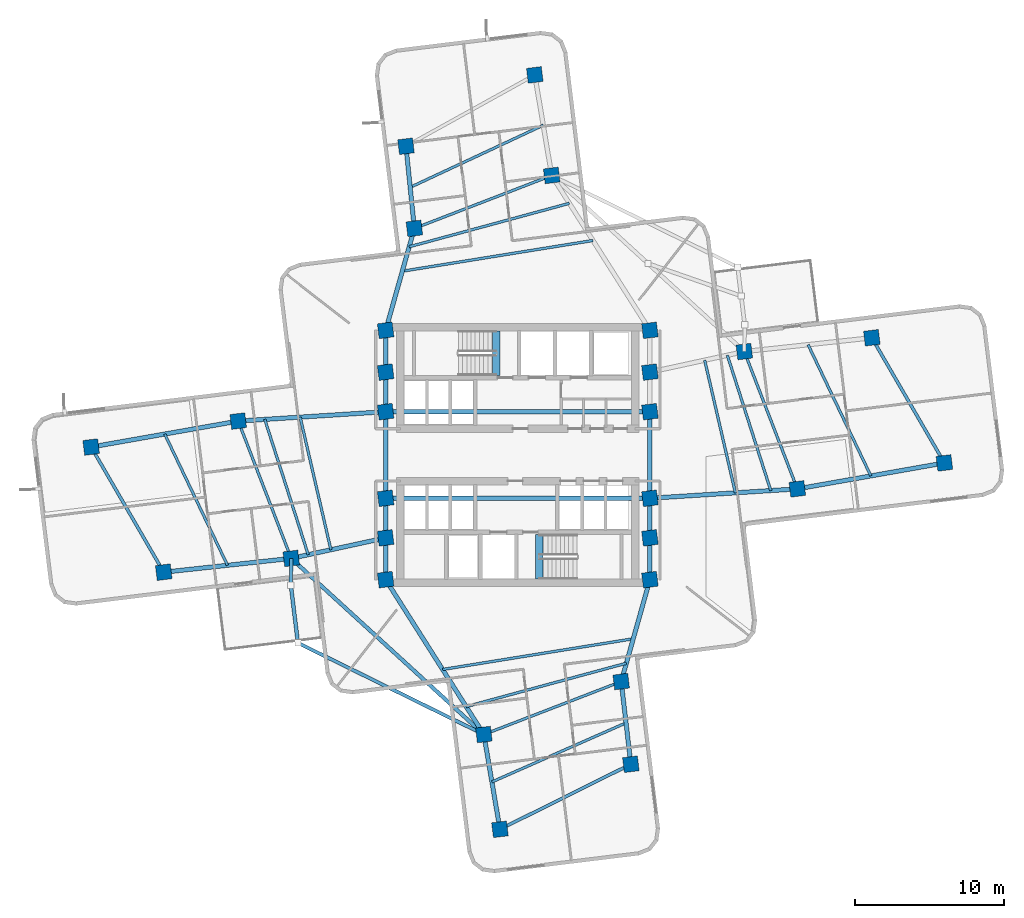
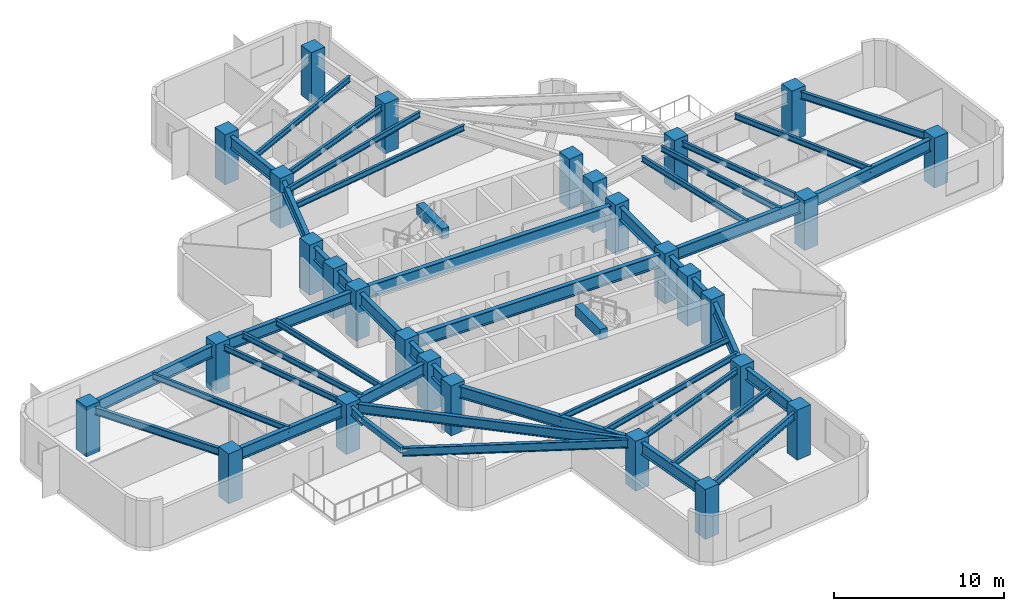
# One storey, part 1 of 9: 47 beams, 28 columns.
"""IFC4 building model written with IfcOpenShell, lengths in metres."""

from ifc_helpers import new_model, si_unit, direction, frame, origin, origin_2d, place, context, subcontext, project, spatial, rectangle, hollow_rectangle, i_section, extrude, material, material_profile, profile_set, type_object, element, save


model = new_model("IFC4")

# Units and contexts
model_context = context("Model", 3, precision=1e-05, world=origin(), true_north=direction((0.0, 1.0)))
body_context = subcontext(model_context, "Body", "Model", "MODEL_VIEW")
ifc_project = project(units=[si_unit("LENGTHUNIT", "METRE"), si_unit("AREAUNIT", "SQUARE_METRE"), si_unit("VOLUMEUNIT", "CUBIC_METRE"), si_unit("PLANEANGLEUNIT", "RADIAN"), si_unit("MASSUNIT", "GRAM", prefix="KILO")], contexts=[model_context])

# Site, building, storey
site_placement = place(None, origin())
site = spatial("IfcSite", under=ifc_project, at=site_placement, CompositionType="ELEMENT")
building_placement = place(site_placement, origin())
building = spatial("IfcBuilding", under=site, at=building_placement, Name="Solmarez Civic Tower", CompositionType="ELEMENT")
storey_placement = place(building_placement, frame((0.0, 0.0, 78.47998046875)))
storey = spatial("IfcBuildingStorey", under=building, at=storey_placement, Name="L20", CompositionType="ELEMENT", Elevation=78.47998046875)

# Columns
ifc_material_1 = material(Name="Concrete C60/75", Category="concrete")
ifc_material_profile_1 = material_profile(ifc_material_1, rectangle(XDim=1.0, YDim=1.0, at=origin_2d()), Name="RC1000X1000")
ifc_profile_set_1 = profile_set([ifc_material_profile_1], Name="Concrete C60/75")
column_type = type_object("IfcColumnType", Name="COL-RC1000", PredefinedType="COLUMN", material=ifc_profile_set_1)
for number, where, z_axis, x_axis, name in (
    (1, (-8.85009765625, -5.550048828125, 0.0), (0.0, 0.0, 1.0), (0.992546151641, 0.121869343405, 0.0), "L20 Structural Column HC1"),
    (2, (-8.85009765625, -2.89990234375, 0.0), (0.0, 0.0, 1.0), (0.992546151641, 0.121869343405, 0.0), "L20 Structural Column HC2"),
    (3, (-8.85009765625, 2.89990234375, 0.0), (0.0, 0.0, 1.0), (0.992546151641, 0.121869343405, 0.0), "L20 Structural Column HC3"),
    (4, (-8.85009765625, 5.550048828125, 0.0), (0.0, 0.0, 1.0), (0.992546151641, 0.121869343405, 0.0), "L20 Structural Column HC4"),
    (5, (8.85009765625, -5.550048828125, 0.0), (0.0, 0.0, 1.0), (0.992546151641, 0.121869343405, 0.0), "L20 Structural Column HC5"),
    (6, (8.85009765625, -2.89990234375, 0.0), (0.0, 0.0, 1.0), (0.992546151641, 0.121869343405, 0.0), "L20 Structural Column HC6"),
    (7, (8.85009765625, 2.89990234375, 0.0), (0.0, 0.0, 1.0), (0.992546151641, 0.121869343405, 0.0), "L20 Structural Column HC7"),
    (8, (8.85009765625, 5.550048828125, 0.0), (0.0, 0.0, 1.0), (0.992546151641, 0.121869343405, 0.0), "L20 Structural Column HC8"),
    (9, (-8.85009765625, 8.35009765625, 0.0), (0.0, 0.0, 1.0), (0.992546151641, 0.121869343405, 0.0), "L20 Structural Column HC9"),
    (10, (8.85009765625, -8.35009765625, 0.0), (0.0, 0.0, 1.0), (0.992546151641, 0.121869343405, 0.0), "L20 Structural Column HC10"),
    (11, (8.85009765625, 8.35009765625, 0.0), (0.0, 0.0, 1.0), (0.992546151641, 0.121869343405, 0.0), "L20 Structural Column HC11"),
    (12, (-8.85009765625, -8.35009765625, 0.0), (0.0, 0.0, 1.0), (0.992546151641, 0.121869343405, 0.0), "L20 Structural Column HC12"),
    (13, (18.72412109375, -2.27099609375, 0.0), (0.0, 0.0, 1.0), (0.992546151641, 0.121869343405, 0.0), "L20 Structural Column EA11"),
    (14, (15.175048828125, 6.927001953125, 0.0), (0.0, 0.0, 1.0), (0.992546151641, 0.121869343405, 0.0), "L20 Structural Column EA12"),
    (15, (28.575927734375, -0.532958984375, 0.0), (0.0, 0.0, 1.0), (0.992546151641, 0.121869343405, 0.0), "L20 Structural Column EA21"),
    (16, (23.715087890625, 7.85107421875, 0.0), (0.0, 0.0, 1.0), (0.992546151641, 0.121869343405, 0.0), "L20 Structural Column EA22"),
    (17, (2.27099609375, 18.72412109375, 0.0), (0.0, 0.0, 1.0), (0.992546151641, 0.121869343405, 0.0), "L20 Structural Column NA11"),
    (18, (-6.927001953125, 15.175048828125, 0.0), (0.0, 0.0, 1.0), (0.992546151641, 0.121869343405, 0.0), "L20 Structural Column NA12"),
    (19, (1.138916015625, 25.45703125, 0.0), (0.0, 0.0, 1.0), (0.992546151641, 0.121869343405, 0.0), "L20 Structural Column NA21"),
    (20, (-7.489013671875, 20.678955078125, 0.0), (0.0, 0.0, 1.0), (0.992546151641, 0.121869343405, 0.0), "L20 Structural Column NA22"),
    (21, (-18.72412109375, 2.27099609375, 0.0), (0.0, 0.0, 1.0), (0.992546151641, 0.121869343405, 0.0), "L20 Structural Column WA11"),
    (22, (-15.175048828125, -6.927001953125, 0.0), (0.0, 0.0, 1.0), (0.992546151641, 0.121869343405, 0.0), "L20 Structural Column WA12"),
    (23, (-28.575927734375, 0.532958984375, 0.0), (0.0, 0.0, 1.0), (0.992546151641, 0.121869343405, 0.0), "L20 Structural Column WA21"),
    (24, (-23.715087890625, -7.85107421875, 0.0), (0.0, 0.0, 1.0), (0.992546151641, 0.121869343405, 0.0), "L20 Structural Column WA22"),
    (25, (-2.27099609375, -18.72412109375, 0.0), (0.0, 0.0, 1.0), (0.992546151641, 0.121869343405, 0.0), "L20 Structural Column SA11"),
    (26, (6.927001953125, -15.175048828125, 0.0), (0.0, 0.0, 1.0), (0.992546151641, 0.121869343405, 0.0), "L20 Structural Column SA12"),
    (27, (-1.195068359375, -25.073974609375, 0.0), (0.0, 0.0, 1.0), (0.992546151641, 0.121869343405, 0.0), "L20 Structural Column SA21"),
    (28, (7.573974609375, -20.714111328125, 0.0), (0.0, 0.0, 1.0), (0.992546151641, 0.121869343405, 0.0), "L20 Structural Column SA22"),
):
    element("IfcColumn", number, at=place(storey_placement, frame(where, z_axis=z_axis, x_axis=x_axis)), inside=storey, type_object=column_type, Name=name, PredefinedType="COLUMN", context=body_context, shape_type="SweptSolid", body=[
        extrude(rectangle(XDim=1.0, YDim=1.0, at=origin_2d()), origin(), (0.0, 0.0, 1.0), 3.60009765625),
    ])

# Beams
ifc_material_2 = material(Name="Steel S355", Category="steel")
ifc_material_profile_2 = material_profile(ifc_material_2, i_section(OverallWidth=0.178955078125, OverallDepth=0.409912109375, WebThickness=0.0087890625, FlangeThickness=0.014404296875, at=origin_2d()), Name="W16X45")
ifc_profile_set_2 = profile_set([ifc_material_profile_2], Name="Steel S355")
beam_type_1 = type_object("IfcBeamType", Name="BM-JS-W16X45", PredefinedType="JOIST", material=ifc_profile_set_2)
beam_1_placement = place(storey_placement, frame((18.72412109375, -2.27099609375, 3.135009765625), z_axis=(-0.359984466214, 0.932958297077, 0.0), x_axis=(-0.932958297077, -0.359984466214, 0.0)))
element("IfcBeam", 29, at=beam_1_placement, inside=storey, type_object=beam_type_1, Name="L20 Secondary Floor Joist BM-L20-EA-T1", PredefinedType="JOIST", context=body_context, shape_type="SweptSolid", body=[
    extrude(i_section(OverallWidth=0.178955078125, OverallDepth=0.409912109375, WebThickness=0.0087890625, FlangeThickness=0.014404296875, at=origin_2d()), origin(), (0.0, 0.0, 1.0), 9.85888671875),
])
beam_2_placement = place(storey_placement, frame((23.64990234375, -1.402099609375, 3.135009765625), z_axis=(-0.431491843414, 0.902116837814, 0.0), x_axis=(-0.902116837814, -0.431491843414, 0.0)))
element("IfcBeam", 30, at=beam_2_placement, inside=storey, type_object=beam_type_1, Name="L20 Secondary Floor Joist JS-L20-EA-M2", PredefinedType="JOIST", context=body_context, shape_type="SweptSolid", body=[
    extrude(i_section(OverallWidth=0.178955078125, OverallDepth=0.409912109375, WebThickness=0.0087890625, FlangeThickness=0.014404296875, at=origin_2d()), origin(), (0.0, 0.0, 1.0), 9.744873046875),
])
beam_3_placement = place(storey_placement, frame((14.576904296875, -2.534912109375, 3.135009765625), z_axis=(-0.225762717226, 0.974182321494, 0.0), x_axis=(-0.974182321494, -0.225762717226, 0.0)))
element("IfcBeam", 31, at=beam_3_placement, inside=storey, type_object=beam_type_1, Name="L20 Secondary Floor Joist JS-L20-EA-M11", PredefinedType="JOIST", context=body_context, shape_type="SweptSolid", body=[
    extrude(i_section(OverallWidth=0.178955078125, OverallDepth=0.409912109375, WebThickness=0.0087890625, FlangeThickness=0.014404296875, at=origin_2d()), origin(), (0.0, 0.0, 1.0), 9.119384765625),
])
beam_4_placement = place(storey_placement, frame((16.947021484375, -2.384033203125, 3.135009765625), z_axis=(-0.305705295997, 0.952126184914, 0.0), x_axis=(-0.952126184914, -0.305705295997, 0.0)))
element("IfcBeam", 32, at=beam_4_placement, inside=storey, type_object=beam_type_1, Name="L20 Secondary Floor Joist JS-L20-EA-M12", PredefinedType="JOIST", context=body_context, shape_type="SweptSolid", body=[
    extrude(i_section(OverallWidth=0.178955078125, OverallDepth=0.409912109375, WebThickness=0.0087890625, FlangeThickness=0.014404296875, at=origin_2d()), origin(), (0.0, 0.0, 1.0), 9.518798828125),
])
beam_5_placement = place(storey_placement, frame((2.27099609375, 18.72412109375, 3.135009765625), z_axis=(-0.932958297077, -0.359984466214, 0.0), x_axis=(0.359984466214, -0.932958297077, 0.0)))
element("IfcBeam", 33, at=beam_5_placement, inside=storey, type_object=beam_type_1, Name="L20 Secondary Floor Joist BM-L20-NA-T1", PredefinedType="JOIST", context=body_context, shape_type="SweptSolid", body=[
    extrude(i_section(OverallWidth=0.178955078125, OverallDepth=0.409912109375, WebThickness=0.0087890625, FlangeThickness=0.014404296875, at=origin_2d()), origin(), (0.0, 0.0, 1.0), 9.85888671875),
])
beam_6_placement = place(storey_placement, frame((1.705078125, 22.090087890625, 3.135009765625), z_axis=(-0.906041066986, -0.423189774138, 0.0), x_axis=(0.423189774138, -0.906041066986, 0.0)))
element("IfcBeam", 34, at=beam_6_placement, inside=storey, type_object=beam_type_1, Name="L20 Secondary Floor Joist JS-L20-NA-M2", PredefinedType="JOIST", context=body_context, shape_type="SweptSolid", body=[
    extrude(i_section(OverallWidth=0.178955078125, OverallDepth=0.409912109375, WebThickness=0.0087890625, FlangeThickness=0.014404296875, at=origin_2d()), origin(), (0.0, 0.0, 1.0), 9.83740234375),
])
beam_7_placement = place(storey_placement, frame((5.033935546875, 14.366943359375, 3.135009765625), z_axis=(-0.987261309887, -0.159107215423, 0.0), x_axis=(0.159107215423, -0.987261309887, 0.0)))
element("IfcBeam", 35, at=beam_7_placement, inside=storey, type_object=beam_type_1, Name="L20 Secondary Floor Joist JS-L20-NA-M11", PredefinedType="JOIST", context=body_context, shape_type="SweptSolid", body=[
    extrude(i_section(OverallWidth=0.178955078125, OverallDepth=0.409912109375, WebThickness=0.0087890625, FlangeThickness=0.014404296875, at=origin_2d()), origin(), (0.0, 0.0, 1.0), 12.933837890625),
])
beam_8_placement = place(storey_placement, frame((3.455078125, 16.85693359375, 3.135009765625), z_axis=(-0.965126314795, -0.261784637614, 0.0), x_axis=(0.261784637614, -0.965126314795, 0.0)))
element("IfcBeam", 36, at=beam_8_placement, inside=storey, type_object=beam_type_1, Name="L20 Secondary Floor Joist JS-L20-NA-M12", PredefinedType="JOIST", context=body_context, shape_type="SweptSolid", body=[
    extrude(i_section(OverallWidth=0.178955078125, OverallDepth=0.409912109375, WebThickness=0.0087890625, FlangeThickness=0.014404296875, at=origin_2d()), origin(), (0.0, 0.0, 1.0), 11.11572265625),
])
beam_9_placement = place(storey_placement, frame((-18.72412109375, 2.27099609375, 3.135009765625), z_axis=(0.359984466214, -0.932958297077, 0.0), x_axis=(0.932958297077, 0.359984466214, 0.0)))
element("IfcBeam", 37, at=beam_9_placement, inside=storey, type_object=beam_type_1, Name="L20 Secondary Floor Joist BM-L20-WA-T1", PredefinedType="JOIST", context=body_context, shape_type="SweptSolid", body=[
    extrude(i_section(OverallWidth=0.178955078125, OverallDepth=0.409912109375, WebThickness=0.0087890625, FlangeThickness=0.014404296875, at=origin_2d()), origin(), (0.0, 0.0, 1.0), 9.85888671875),
])
beam_10_placement = place(storey_placement, frame((-23.64990234375, 1.402099609375, 3.135009765625), z_axis=(0.431491843414, -0.902116837814, 0.0), x_axis=(0.902116837814, 0.431491843414, 0.0)))
element("IfcBeam", 38, at=beam_10_placement, inside=storey, type_object=beam_type_1, Name="L20 Secondary Floor Joist JS-L20-WA-M2", PredefinedType="JOIST", context=body_context, shape_type="SweptSolid", body=[
    extrude(i_section(OverallWidth=0.178955078125, OverallDepth=0.409912109375, WebThickness=0.0087890625, FlangeThickness=0.014404296875, at=origin_2d()), origin(), (0.0, 0.0, 1.0), 9.744873046875),
])
beam_11_placement = place(storey_placement, frame((-14.576904296875, 2.534912109375, 3.135009765625), z_axis=(0.225762717226, -0.974182321494, 0.0), x_axis=(0.974182321494, 0.225762717226, 0.0)))
element("IfcBeam", 39, at=beam_11_placement, inside=storey, type_object=beam_type_1, Name="L20 Secondary Floor Joist JS-L20-WA-M11", PredefinedType="JOIST", context=body_context, shape_type="SweptSolid", body=[
    extrude(i_section(OverallWidth=0.178955078125, OverallDepth=0.409912109375, WebThickness=0.0087890625, FlangeThickness=0.014404296875, at=origin_2d()), origin(), (0.0, 0.0, 1.0), 9.119384765625),
])
beam_12_placement = place(storey_placement, frame((-16.947021484375, 2.384033203125, 3.135009765625), z_axis=(0.305705295997, -0.952126184914, 0.0), x_axis=(0.952126184914, 0.305705295997, 0.0)))
element("IfcBeam", 40, at=beam_12_placement, inside=storey, type_object=beam_type_1, Name="L20 Secondary Floor Joist JS-L20-WA-M12", PredefinedType="JOIST", context=body_context, shape_type="SweptSolid", body=[
    extrude(i_section(OverallWidth=0.178955078125, OverallDepth=0.409912109375, WebThickness=0.0087890625, FlangeThickness=0.014404296875, at=origin_2d()), origin(), (0.0, 0.0, 1.0), 9.518798828125),
])
beam_13_placement = place(storey_placement, frame((-2.27099609375, -18.72412109375, 3.135009765625), z_axis=(0.932958297077, 0.359984466214, 0.0), x_axis=(-0.359984466214, 0.932958297077, 0.0)))
element("IfcBeam", 41, at=beam_13_placement, inside=storey, type_object=beam_type_1, Name="L20 Secondary Floor Joist BM-L20-SA-T1", PredefinedType="JOIST", context=body_context, shape_type="SweptSolid", body=[
    extrude(i_section(OverallWidth=0.178955078125, OverallDepth=0.409912109375, WebThickness=0.0087890625, FlangeThickness=0.014404296875, at=origin_2d()), origin(), (0.0, 0.0, 1.0), 9.85888671875),
])
beam_14_placement = place(storey_placement, frame((-1.73291015625, -21.89892578125, 3.135009765625), z_axis=(0.915226616427, 0.402939499905, 0.0), x_axis=(-0.402939499905, 0.915226616427, 0.0)))
element("IfcBeam", 42, at=beam_14_placement, inside=storey, type_object=beam_type_1, Name="L20 Secondary Floor Joist JS-L20-SA-M2", PredefinedType="JOIST", context=body_context, shape_type="SweptSolid", body=[
    extrude(i_section(OverallWidth=0.178955078125, OverallDepth=0.409912109375, WebThickness=0.0087890625, FlangeThickness=0.014404296875, at=origin_2d()), origin(), (0.0, 0.0, 1.0), 9.81494140625),
])
beam_15_placement = place(storey_placement, frame((-5.033935546875, -14.366943359375, 3.135009765625), z_axis=(0.987261309887, 0.159107215423, 0.0), x_axis=(-0.159107215423, 0.987261309887, 0.0)))
element("IfcBeam", 43, at=beam_15_placement, inside=storey, type_object=beam_type_1, Name="L20 Secondary Floor Joist JS-L20-SA-M11", PredefinedType="JOIST", context=body_context, shape_type="SweptSolid", body=[
    extrude(i_section(OverallWidth=0.178955078125, OverallDepth=0.409912109375, WebThickness=0.0087890625, FlangeThickness=0.014404296875, at=origin_2d()), origin(), (0.0, 0.0, 1.0), 12.933837890625),
])
beam_16_placement = place(storey_placement, frame((-3.455078125, -16.85693359375, 3.135009765625), z_axis=(0.965126314795, 0.261784637614, 0.0), x_axis=(-0.261784637614, 0.965126314795, 0.0)))
element("IfcBeam", 44, at=beam_16_placement, inside=storey, type_object=beam_type_1, Name="L20 Secondary Floor Joist JS-L20-SA-M12", PredefinedType="JOIST", context=body_context, shape_type="SweptSolid", body=[
    extrude(i_section(OverallWidth=0.178955078125, OverallDepth=0.409912109375, WebThickness=0.0087890625, FlangeThickness=0.014404296875, at=origin_2d()), origin(), (0.0, 0.0, 1.0), 11.11572265625),
])
ifc_material_3 = material(Name="Concrete C50/60", Category="concrete")
ifc_material_profile_3 = material_profile(ifc_material_3, rectangle(XDim=0.5, YDim=0.75, at=origin_2d()), Name="RC500X750")
ifc_profile_set_3 = profile_set([ifc_material_profile_3], Name="Concrete C50/60")
beam_type_2 = type_object("IfcBeamType", Name="BM-PR-RC500X750", PredefinedType="BEAM", material=ifc_profile_set_3)
for number, where, z_axis, x_axis, name in (
    (45, (-1.449951171875, 5.340087890625, 3.23291015625), (0.0, 1.0, 0.0), (-1.0, 0.0, 0.0), "L20 North Stair Threshold Beam"),
    (46, (1.449951171875, -8.300048828125, 3.23291015625), (0.0, 1.0, 0.0), (-1.0, 0.0, 0.0), "L20 South Stair Threshold Beam"),
):
    element("IfcBeam", number, at=place(storey_placement, frame(where, z_axis=z_axis, x_axis=x_axis)), inside=storey, type_object=beam_type_2, Name=name, PredefinedType="BEAM", context=body_context, shape_type="SweptSolid", body=[
        extrude(rectangle(XDim=0.5, YDim=0.75, at=origin_2d()), origin(), (0.0, 0.0, 1.0), 2.9599609375),
    ])
ifc_material_profile_4 = material_profile(ifc_material_2, i_section(OverallWidth=0.25390625, OverallDepth=0.68798828125, WebThickness=0.01318359375, FlangeThickness=0.02099609375, at=origin_2d()), Name="W27X102")
ifc_profile_set_4 = profile_set([ifc_material_profile_4], Name="Steel S355")
beam_type_3 = type_object("IfcBeamType", Name="BM-PR-W27X102", PredefinedType="BEAM", material=ifc_profile_set_4)
beam_17_placement = place(storey_placement, frame((-15.175048828125, -6.927001953125, 2.99609375), z_axis=(0.738053646973, -0.674742035292, 0.0), x_axis=(0.674742035292, 0.738053646973, 0.0)))
element("IfcBeam", 47, at=beam_17_placement, inside=storey, type_object=beam_type_3, Name="L20 Primary Floor Beam BM-L20-BALC-SWC", PredefinedType="BEAM", context=body_context, shape_type="SweptSolid", body=[
    extrude(i_section(OverallWidth=0.25390625, OverallDepth=0.68798828125, WebThickness=0.01318359375, FlangeThickness=0.02099609375, at=origin_2d()), origin(), (0.0, 0.0, 1.0), 17.48388671875),
])
ifc_material_profile_5 = material_profile(ifc_material_2, i_section(OverallWidth=0.2919921875, OverallDepth=0.845947265625, WebThickness=0.015380859375, FlangeThickness=0.0244140625, at=origin_2d()), Name="W33X141")
ifc_profile_set_5 = profile_set([ifc_material_profile_5], Name="Steel S355")
beam_type_4 = type_object("IfcBeamType", Name="BM-PR-W33X141", PredefinedType="BEAM", material=ifc_profile_set_5)
beam_18_placement = place(storey_placement, frame((8.85009765625, -2.89990234375, 2.9169921875), z_axis=(0.997977751208, 0.063564204508, 0.0), x_axis=(-0.063564204508, 0.997977751208, 0.0)))
element("IfcBeam", 48, at=beam_18_placement, inside=storey, type_object=beam_type_4, Name="L20 Primary Floor Beam BM-L20-EA-R1A", PredefinedType="BEAM", context=body_context, shape_type="SweptSolid", body=[
    extrude(i_section(OverallWidth=0.2919921875, OverallDepth=0.845947265625, WebThickness=0.015380859375, FlangeThickness=0.0244140625, at=origin_2d()), origin(), (0.0, 0.0, 1.0), 9.89404296875),
])
beam_19_placement = place(storey_placement, frame((18.72412109375, -2.27099609375, 2.9169921875), z_axis=(0.984792402105, 0.173735214497, 0.0), x_axis=(-0.173735214497, 0.984792402105, 0.0)))
element("IfcBeam", 49, at=beam_19_placement, inside=storey, type_object=beam_type_4, Name="L20 Primary Floor Beam BM-L20-EA-R2A", PredefinedType="BEAM", context=body_context, shape_type="SweptSolid", body=[
    extrude(i_section(OverallWidth=0.2919921875, OverallDepth=0.845947265625, WebThickness=0.015380859375, FlangeThickness=0.0244140625, at=origin_2d()), origin(), (0.0, 0.0, 1.0), 10.00390625),
])
beam_20_placement = place(storey_placement, frame((-8.85009765625, 8.35009765625, 2.9169921875), z_axis=(0.271213183726, 0.962519303169, 0.0), x_axis=(-0.962519303169, 0.271213183726, 0.0)))
element("IfcBeam", 50, at=beam_20_placement, inside=storey, type_object=beam_type_4, Name="L20 Primary Floor Beam BM-L20-NA-R1B", PredefinedType="BEAM", context=body_context, shape_type="SweptSolid", body=[
    extrude(i_section(OverallWidth=0.2919921875, OverallDepth=0.845947265625, WebThickness=0.015380859375, FlangeThickness=0.0244140625, at=origin_2d()), origin(), (0.0, 0.0, 1.0), 7.0908203125),
])
beam_21_placement = place(storey_placement, frame((-6.927001953125, 15.175048828125, 2.9169921875), z_axis=(-0.101583208843, 0.994827046115, 0.0), x_axis=(-0.994827046115, -0.101583208843, 0.0)))
element("IfcBeam", 51, at=beam_21_placement, inside=storey, type_object=beam_type_4, Name="L20 Primary Floor Beam BM-L20-NA-R2B", PredefinedType="BEAM", context=body_context, shape_type="SweptSolid", body=[
    extrude(i_section(OverallWidth=0.2919921875, OverallDepth=0.845947265625, WebThickness=0.015380859375, FlangeThickness=0.0244140625, at=origin_2d()), origin(), (0.0, 0.0, 1.0), 5.532470703125),
])
beam_22_placement = place(storey_placement, frame((-8.85009765625, 2.89990234375, 2.9169921875), z_axis=(-0.997977751208, -0.063564204508, 0.0), x_axis=(0.063564204508, -0.997977751208, 0.0)))
element("IfcBeam", 52, at=beam_22_placement, inside=storey, type_object=beam_type_4, Name="L20 Primary Floor Beam BM-L20-WA-R1A", PredefinedType="BEAM", context=body_context, shape_type="SweptSolid", body=[
    extrude(i_section(OverallWidth=0.2919921875, OverallDepth=0.845947265625, WebThickness=0.015380859375, FlangeThickness=0.0244140625, at=origin_2d()), origin(), (0.0, 0.0, 1.0), 9.89404296875),
])
beam_23_placement = place(storey_placement, frame((-8.85009765625, -5.550048828125, 2.9169921875), z_axis=(-0.977113347202, -0.212719314402, 0.0), x_axis=(0.212719314402, -0.977113347202, 0.0)))
element("IfcBeam", 53, at=beam_23_placement, inside=storey, type_object=beam_type_4, Name="L20 Primary Floor Beam BM-L20-WA-R1B", PredefinedType="BEAM", context=body_context, shape_type="SweptSolid", body=[
    extrude(i_section(OverallWidth=0.2919921875, OverallDepth=0.845947265625, WebThickness=0.015380859375, FlangeThickness=0.0244140625, at=origin_2d()), origin(), (0.0, 0.0, 1.0), 6.47314453125),
])
beam_24_placement = place(storey_placement, frame((-18.72412109375, 2.27099609375, 2.9169921875), z_axis=(-0.984792402105, -0.173735214497, 0.0), x_axis=(0.173735214497, -0.984792402105, 0.0)))
element("IfcBeam", 54, at=beam_24_placement, inside=storey, type_object=beam_type_4, Name="L20 Primary Floor Beam BM-L20-WA-R2A", PredefinedType="BEAM", context=body_context, shape_type="SweptSolid", body=[
    extrude(i_section(OverallWidth=0.2919921875, OverallDepth=0.845947265625, WebThickness=0.015380859375, FlangeThickness=0.0244140625, at=origin_2d()), origin(), (0.0, 0.0, 1.0), 10.00390625),
])
beam_25_placement = place(storey_placement, frame((-15.175048828125, -6.927001953125, 2.9169921875), z_axis=(-0.994196782435, -0.107576753045, 0.0), x_axis=(0.107576753045, -0.994196782435, 0.0)))
element("IfcBeam", 55, at=beam_25_placement, inside=storey, type_object=beam_type_4, Name="L20 Primary Floor Beam BM-L20-WA-R2B", PredefinedType="BEAM", context=body_context, shape_type="SweptSolid", body=[
    extrude(i_section(OverallWidth=0.2919921875, OverallDepth=0.845947265625, WebThickness=0.015380859375, FlangeThickness=0.0244140625, at=origin_2d()), origin(), (0.0, 0.0, 1.0), 8.58984375),
])
beam_26_placement = place(storey_placement, frame((-8.85009765625, -8.35009765625, 2.9169921875), z_axis=(0.535568299099, -0.84449191648, 0.0), x_axis=(0.84449191648, 0.535568299099, 0.0)))
element("IfcBeam", 56, at=beam_26_placement, inside=storey, type_object=beam_type_4, Name="L20 Primary Floor Beam BM-L20-SA-R1A", PredefinedType="BEAM", context=body_context, shape_type="SweptSolid", body=[
    extrude(i_section(OverallWidth=0.2919921875, OverallDepth=0.845947265625, WebThickness=0.015380859375, FlangeThickness=0.0244140625, at=origin_2d()), origin(), (0.0, 0.0, 1.0), 12.284423828125),
])
beam_27_placement = place(storey_placement, frame((8.85009765625, -8.35009765625, 2.9169921875), z_axis=(-0.271213183726, -0.962519303169, 0.0), x_axis=(0.962519303169, -0.271213183726, 0.0)))
element("IfcBeam", 57, at=beam_27_placement, inside=storey, type_object=beam_type_4, Name="L20 Primary Floor Beam BM-L20-SA-R1B", PredefinedType="BEAM", context=body_context, shape_type="SweptSolid", body=[
    extrude(i_section(OverallWidth=0.2919921875, OverallDepth=0.845947265625, WebThickness=0.015380859375, FlangeThickness=0.0244140625, at=origin_2d()), origin(), (0.0, 0.0, 1.0), 7.0908203125),
])
beam_28_placement = place(storey_placement, frame((-2.27099609375, -18.72412109375, 2.9169921875), z_axis=(0.167060138422, -0.985946707561, 0.0), x_axis=(0.985946707561, 0.167060138422, 0.0)))
element("IfcBeam", 58, at=beam_28_placement, inside=storey, type_object=beam_type_4, Name="L20 Primary Floor Beam BM-L20-SA-R2A", PredefinedType="BEAM", context=body_context, shape_type="SweptSolid", body=[
    extrude(i_section(OverallWidth=0.2919921875, OverallDepth=0.845947265625, WebThickness=0.015380859375, FlangeThickness=0.0244140625, at=origin_2d()), origin(), (0.0, 0.0, 1.0), 6.4404296875),
])
beam_29_placement = place(storey_placement, frame((6.927001953125, -15.175048828125, 2.9169921875), z_axis=(0.11601314993, -0.993247677593, 0.0), x_axis=(0.993247677593, 0.11601314993, 0.0)))
element("IfcBeam", 59, at=beam_29_placement, inside=storey, type_object=beam_type_4, Name="L20 Primary Floor Beam BM-L20-SA-R2B", PredefinedType="BEAM", context=body_context, shape_type="SweptSolid", body=[
    extrude(i_section(OverallWidth=0.2919921875, OverallDepth=0.845947265625, WebThickness=0.015380859375, FlangeThickness=0.0244140625, at=origin_2d()), origin(), (0.0, 0.0, 1.0), 5.57666015625),
])
ifc_material_profile_6 = material_profile(ifc_material_2, i_section(OverallWidth=0.306884765625, OverallDepth=0.927001953125, WebThickness=0.019287109375, FlangeThickness=0.031982421875, at=origin_2d()), Name="W36X194")
ifc_profile_set_6 = profile_set([ifc_material_profile_6], Name="Steel S355")
beam_type_5 = type_object("IfcBeamType", Name="BM-PR-W36X194", PredefinedType="BEAM", material=ifc_profile_set_6)
beam_30_placement = place(storey_placement, frame((-8.85009765625, -8.35009765625, 2.8759765625), z_axis=(0.0, 1.0, 0.0), x_axis=(-1.0, 0.0, 0.0)))
element("IfcBeam", 60, at=beam_30_placement, inside=storey, type_object=beam_type_5, Name="L20 Primary Floor Beam BM-L20-HC12-HC1", PredefinedType="BEAM", context=body_context, shape_type="SweptSolid", body=[
    extrude(i_section(OverallWidth=0.306884765625, OverallDepth=0.927001953125, WebThickness=0.019287109375, FlangeThickness=0.031982421875, at=origin_2d()), origin(), (0.0, 0.0, 1.0), 2.800048828125),
])
beam_31_placement = place(storey_placement, frame((-8.85009765625, -5.550048828125, 2.8759765625), z_axis=(0.0, 1.0, 0.0), x_axis=(-1.0, 0.0, 0.0)))
element("IfcBeam", 61, at=beam_31_placement, inside=storey, type_object=beam_type_5, Name="L20 Primary Floor Beam BM-L20-HC1-HC2", PredefinedType="BEAM", context=body_context, shape_type="SweptSolid", body=[
    extrude(i_section(OverallWidth=0.306884765625, OverallDepth=0.927001953125, WebThickness=0.019287109375, FlangeThickness=0.031982421875, at=origin_2d()), origin(), (0.0, 0.0, 1.0), 2.650146484375),
])
beam_32_placement = place(storey_placement, frame((-8.85009765625, -2.89990234375, 2.8759765625), z_axis=(0.0, 1.0, 0.0), x_axis=(-1.0, 0.0, 0.0)))
element("IfcBeam", 62, at=beam_32_placement, inside=storey, type_object=beam_type_5, Name="L20 Primary Floor Beam BM-L20-HC2-HC3", PredefinedType="BEAM", context=body_context, shape_type="SweptSolid", body=[
    extrude(i_section(OverallWidth=0.306884765625, OverallDepth=0.927001953125, WebThickness=0.019287109375, FlangeThickness=0.031982421875, at=origin_2d()), origin(), (0.0, 0.0, 1.0), 5.7998046875),
])
beam_33_placement = place(storey_placement, frame((-8.85009765625, 2.89990234375, 2.8759765625), z_axis=(0.0, 1.0, 0.0), x_axis=(-1.0, 0.0, 0.0)))
element("IfcBeam", 63, at=beam_33_placement, inside=storey, type_object=beam_type_5, Name="L20 Primary Floor Beam BM-L20-HC3-HC4", PredefinedType="BEAM", context=body_context, shape_type="SweptSolid", body=[
    extrude(i_section(OverallWidth=0.306884765625, OverallDepth=0.927001953125, WebThickness=0.019287109375, FlangeThickness=0.031982421875, at=origin_2d()), origin(), (0.0, 0.0, 1.0), 2.650146484375),
])
for number, where, z_axis, x_axis, name in (
    (64, (-8.85009765625, 5.550048828125, 2.8759765625), (0.0, 1.0, 0.0), (-1.0, 0.0, 0.0), "L20 Primary Floor Beam BM-L20-HC4-HC9"),
    (65, (8.85009765625, -8.35009765625, 2.8759765625), (0.0, 1.0, 0.0), (-1.0, 0.0, 0.0), "L20 Primary Floor Beam BM-L20-HC10-HC5"),
):
    element("IfcBeam", number, at=place(storey_placement, frame(where, z_axis=z_axis, x_axis=x_axis)), inside=storey, type_object=beam_type_5, Name=name, PredefinedType="BEAM", context=body_context, shape_type="SweptSolid", body=[
        extrude(i_section(OverallWidth=0.306884765625, OverallDepth=0.927001953125, WebThickness=0.019287109375, FlangeThickness=0.031982421875, at=origin_2d()), origin(), (0.0, 0.0, 1.0), 2.800048828125),
    ])
beam_34_placement = place(storey_placement, frame((8.85009765625, -5.550048828125, 2.8759765625), z_axis=(0.0, 1.0, 0.0), x_axis=(-1.0, 0.0, 0.0)))
element("IfcBeam", 66, at=beam_34_placement, inside=storey, type_object=beam_type_5, Name="L20 Primary Floor Beam BM-L20-HC5-HC6", PredefinedType="BEAM", context=body_context, shape_type="SweptSolid", body=[
    extrude(i_section(OverallWidth=0.306884765625, OverallDepth=0.927001953125, WebThickness=0.019287109375, FlangeThickness=0.031982421875, at=origin_2d()), origin(), (0.0, 0.0, 1.0), 2.650146484375),
])
beam_35_placement = place(storey_placement, frame((8.85009765625, -2.89990234375, 2.8759765625), z_axis=(0.0, 1.0, 0.0), x_axis=(-1.0, 0.0, 0.0)))
element("IfcBeam", 67, at=beam_35_placement, inside=storey, type_object=beam_type_5, Name="L20 Primary Floor Beam BM-L20-HC6-HC7", PredefinedType="BEAM", context=body_context, shape_type="SweptSolid", body=[
    extrude(i_section(OverallWidth=0.306884765625, OverallDepth=0.927001953125, WebThickness=0.019287109375, FlangeThickness=0.031982421875, at=origin_2d()), origin(), (0.0, 0.0, 1.0), 5.7998046875),
])
for number, where, z_axis, x_axis, name in (
    (68, (-8.85009765625, -2.89990234375, 2.8759765625), (1.0, 0.0, 0.0), (0.0, 1.0, 0.0), "L20 Primary Floor Beam BM-L20-HC2-HC6"),
    (69, (-8.85009765625, 2.89990234375, 2.8759765625), (1.0, 0.0, 0.0), (0.0, 1.0, 0.0), "L20 Primary Floor Beam BM-L20-HC3-HC7"),
):
    element("IfcBeam", number, at=place(storey_placement, frame(where, z_axis=z_axis, x_axis=x_axis)), inside=storey, type_object=beam_type_5, Name=name, PredefinedType="BEAM", context=body_context, shape_type="SweptSolid", body=[
        extrude(i_section(OverallWidth=0.306884765625, OverallDepth=0.927001953125, WebThickness=0.019287109375, FlangeThickness=0.031982421875, at=origin_2d()), origin(), (0.0, 0.0, 1.0), 17.7001953125),
    ])
ifc_material_profile_7 = material_profile(ifc_material_2, hollow_rectangle(XDim=0.25, YDim=0.39990234375, WallThickness=0.01611328125, at=origin_2d()), Name="HSS400X250X16")
ifc_profile_set_7 = profile_set([ifc_material_profile_7], Name="Steel S355")
beam_type_6 = type_object("IfcBeamType", Name="BM-SP-HSS400X250", PredefinedType="SPANDREL", material=ifc_profile_set_7)
beam_36_placement = place(storey_placement, frame((-15.200927734375, -8.718017578125, 3.14013671875), z_axis=(0.121791735099, -0.992555677663, 0.0), x_axis=(0.992555677663, 0.121791735099, 0.0)))
element("IfcBeam", 70, at=beam_36_placement, inside=storey, type_object=beam_type_6, Name="L20 Perimeter Spandrel Beam BM-L20-BALC-SWE", PredefinedType="SPANDREL", context=body_context, shape_type="SweptSolid", body=[
    extrude(hollow_rectangle(XDim=0.25, YDim=0.39990234375, WallThickness=0.01611328125, at=origin_2d()), origin(), (0.0, 0.0, 1.0), 3.89892578125),
])
ifc_material_profile_8 = material_profile(ifc_material_2, i_section(OverallWidth=0.2109375, OverallDepth=0.5390625, WebThickness=0.01171875, FlangeThickness=0.018798828125, at=origin_2d()), Name="W21X73")
ifc_profile_set_8 = profile_set([ifc_material_profile_8], Name="Steel S355")
beam_type_7 = type_object("IfcBeamType", Name="BM-SP-W21X73", PredefinedType="SPANDREL", material=ifc_profile_set_8)
for number, where, z_axis, x_axis, name in (
    (71, (28.575927734375, -0.532958984375, 3.070068359375), (-0.501571424933, 0.865116238254, 0.0), (-0.865116238254, -0.501571424933, 0.0), "L20 Perimeter Spandrel Beam BM-L20-EA-T2"),
    (72, (-28.575927734375, 0.532958984375, 3.070068359375), (0.501571424933, -0.865116238254, 0.0), (0.865116238254, 0.501571424933, 0.0), "L20 Perimeter Spandrel Beam BM-L20-WA-T2"),
):
    element("IfcBeam", number, at=place(storey_placement, frame(where, z_axis=z_axis, x_axis=x_axis)), inside=storey, type_object=beam_type_7, Name=name, PredefinedType="SPANDREL", context=body_context, shape_type="SweptSolid", body=[
        extrude(i_section(OverallWidth=0.2109375, OverallDepth=0.5390625, WebThickness=0.01171875, FlangeThickness=0.018798828125, at=origin_2d()), origin(), (0.0, 0.0, 1.0), 9.691162109375),
    ])
beam_37_placement = place(storey_placement, frame((-1.195068359375, -25.073974609375, 3.070068359375), z_axis=(0.895432090654, 0.445198125589, 0.0), x_axis=(-0.445198125589, 0.895432090654, 0.0)))
element("IfcBeam", 73, at=beam_37_placement, inside=storey, type_object=beam_type_7, Name="L20 Perimeter Spandrel Beam BM-L20-SA-T2", PredefinedType="SPANDREL", context=body_context, shape_type="SweptSolid", body=[
    extrude(i_section(OverallWidth=0.2109375, OverallDepth=0.5390625, WebThickness=0.01171875, FlangeThickness=0.018798828125, at=origin_2d()), origin(), (0.0, 0.0, 1.0), 9.79296875),
])
ifc_material_profile_9 = material_profile(ifc_material_2, i_section(OverallWidth=0.22900390625, OverallDepth=0.612060546875, WebThickness=0.011962890625, FlangeThickness=0.01953125, at=origin_2d()), Name="W24X84")
ifc_profile_set_9 = profile_set([ifc_material_profile_9], Name="Steel S355")
beam_type_8 = type_object("IfcBeamType", Name="BM-SP-W24X84", PredefinedType="SPANDREL", material=ifc_profile_set_9)
beam_38_placement = place(storey_placement, frame((-15.175048828125, -6.927001953125, 3.033935546875), z_axis=(-0.014447783027, -0.999895625336, 0.0), x_axis=(0.999895625336, -0.014447783027, 0.0)))
element("IfcBeam", 74, at=beam_38_placement, inside=storey, type_object=beam_type_8, Name="L20 Perimeter Spandrel Beam BM-L20-BALC-SW1", PredefinedType="SPANDREL", context=body_context, shape_type="SweptSolid", body=[
    extrude(i_section(OverallWidth=0.22900390625, OverallDepth=0.612060546875, WebThickness=0.011962890625, FlangeThickness=0.01953125, at=origin_2d()), origin(), (0.0, 0.0, 1.0), 1.791259765625),
])
beam_39_placement = place(storey_placement, frame((-2.27099609375, -18.72412109375, 3.033935546875), z_axis=(-0.897042216925, 0.441944862008, 0.0), x_axis=(-0.441944862008, -0.897042216925, 0.0)))
element("IfcBeam", 75, at=beam_39_placement, inside=storey, type_object=beam_type_8, Name="L20 Perimeter Spandrel Beam BM-L20-BALC-SW2", PredefinedType="SPANDREL", context=body_context, shape_type="SweptSolid", body=[
    extrude(i_section(OverallWidth=0.22900390625, OverallDepth=0.612060546875, WebThickness=0.011962890625, FlangeThickness=0.01953125, at=origin_2d()), origin(), (0.0, 0.0, 1.0), 13.884521484375),
])

save(model, "model.ifc")
